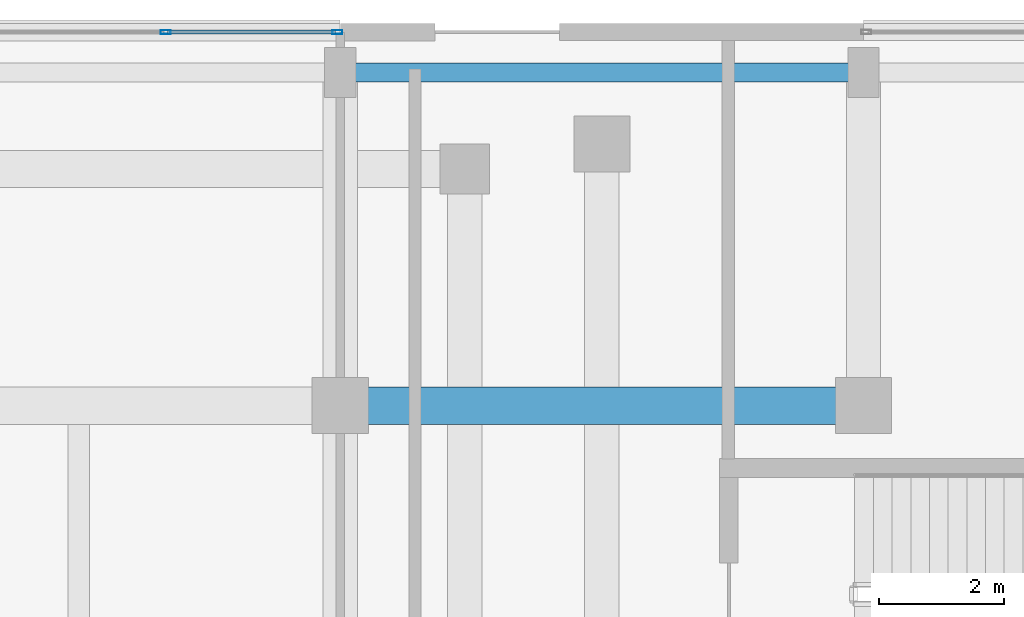
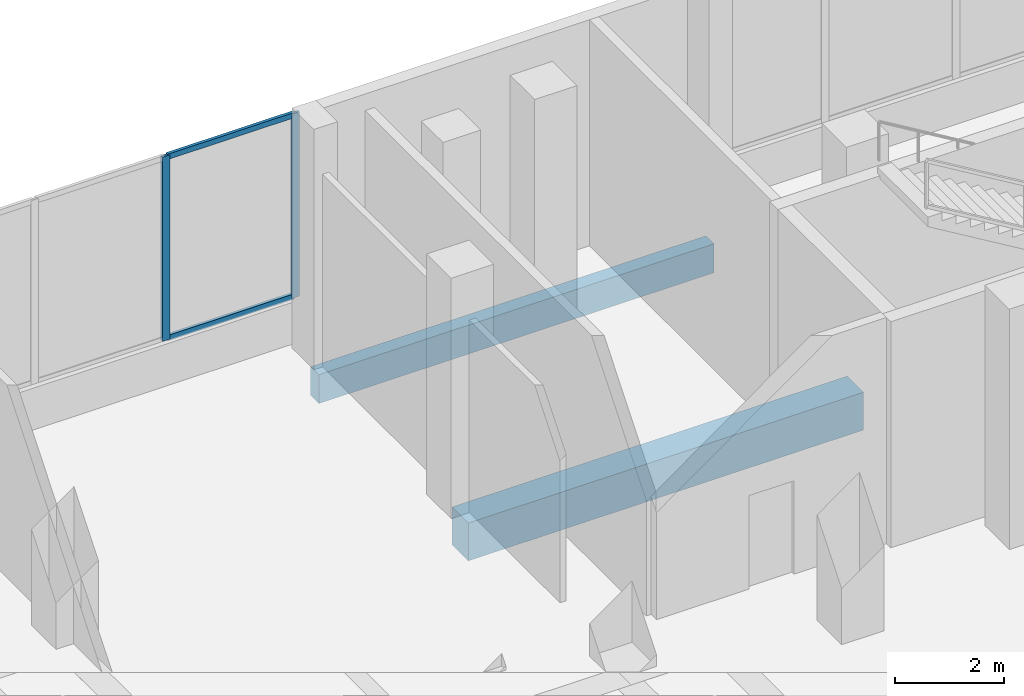
# One storey, part 88 of 158: 4 members, 2 beams, 1 element without a shape of its own.
"""IFC4 building model written with IfcOpenShell, lengths in metres."""

from ifc_helpers import new_model, si_unit, direction, frame, origin, origin_2d, place, context, subcontext, project, spatial, rectangle, hollow_rectangle, extrude, material, material_profile, profile_set, type_object, element, aggregate, save


model = new_model("IFC4")

# Units and contexts
model_context = context("Model", 3, precision=1e-05, world=origin(), true_north=direction((0.0, 1.0)))
body_context = subcontext(model_context, "Body", "Model", "MODEL_VIEW")
ifc_project = project(units=[si_unit("LENGTHUNIT", "METRE"), si_unit("AREAUNIT", "SQUARE_METRE"), si_unit("VOLUMEUNIT", "CUBIC_METRE"), si_unit("PLANEANGLEUNIT", "RADIAN"), si_unit("MASSUNIT", "GRAM", prefix="KILO")], contexts=[model_context])

# Site, building, storey
site_placement = place(None, origin())
site = spatial("IfcSite", under=ifc_project, at=site_placement, CompositionType="ELEMENT")
building_placement = place(site_placement, origin())
building = spatial("IfcBuilding", under=site, at=building_placement, Name="Selatvlak General Hospital", CompositionType="ELEMENT")
storey_placement = place(building_placement, origin())
storey = spatial("IfcBuildingStorey", under=building, at=storey_placement, Name="L00", CompositionType="ELEMENT", Elevation=0.0)

# Beams
ifc_material_1 = material(Name="Concrete C40/50", Category="concrete")
ifc_material_profile_1 = material_profile(ifc_material_1, rectangle(XDim=0.60009765625, YDim=0.85009765625, at=origin_2d()), Name="RC-BM 600x850")
ifc_profile_set_1 = profile_set([ifc_material_profile_1], Name="Concrete C40/50")
beam_type_1 = type_object("IfcBeamType", Name="BM-G01", PredefinedType="BEAM", material=ifc_profile_set_1)
beam_1_placement = place(storey_placement, frame((81.60009765625, 114.0, -0.77490234375), z_axis=(1.0, 0.0, 0.0), x_axis=(0.0, 1.0, 0.0)))
element("IfcBeam", 1, at=beam_1_placement, inside=storey, type_object=beam_type_1, Name="Beam BMR-L00-0139", PredefinedType="BEAM", context=body_context, shape_type="SweptSolid", body=[
    extrude(rectangle(XDim=0.60009765625, YDim=0.85009765625, at=origin_2d()), origin(), (0.0, 0.0, 1.0), 8.39990234375),
])
ifc_material_profile_2 = material_profile(ifc_material_1, rectangle(XDim=0.300048828125, YDim=0.64990234375, at=origin_2d()), Name="RC-SP 300x650")
ifc_profile_set_2 = profile_set([ifc_material_profile_2], Name="Concrete C40/50")
beam_type_2 = type_object("IfcBeamType", Name="BM-SP1", PredefinedType="SPANDREL", material=ifc_profile_set_2)
beam_2_placement = place(storey_placement, frame((81.60009765625, 119.35009765625, -0.675048828125), z_axis=(1.0, 0.0, 0.0), x_axis=(0.0, 1.0, 0.0)))
element("IfcBeam", 2, at=beam_2_placement, inside=storey, type_object=beam_type_2, Name="Beam BMR-L00-0152", PredefinedType="SPANDREL", context=body_context, shape_type="SweptSolid", body=[
    extrude(rectangle(XDim=0.300048828125, YDim=0.64990234375, at=origin_2d()), origin(), (0.0, 0.0, 1.0), 8.39990234375),
])

# Curtain wall, members
ifc_material_2 = material(Name="Solar-control Low-E double glazing", Category="glass")
curtain_wall_type = type_object("IfcCurtainWallType", Name="CW-CW-01", PredefinedType="USERDEFINED", material=ifc_material_2)
curtain_wall_placement = place(storey_placement, origin())
curtain_wall = element("IfcCurtainWall", 3, at=curtain_wall_placement, inside=storey, type_object=curtain_wall_type, Name="Glazed facade curtain wall CW-L00-0006", ObjectType="UNITISED CURTAIN WALL", PredefinedType="USERDEFINED")
ifc_material_3 = material(Name="Dark anodised aluminium mullion", Category="aluminium")
ifc_material_profile_3 = material_profile(ifc_material_3, hollow_rectangle(XDim=0.06494140625, YDim=0.159912109375, WallThickness=0.00390625, at=origin_2d()), Name="AL-MUL 65x160x4")
ifc_profile_set_3 = profile_set([ifc_material_profile_3], Name="Dark anodised aluminium mullion")
member_type_1 = type_object("IfcMemberType", Name="CWM-01", PredefinedType="MULLION", material=ifc_profile_set_3)
member_1_placement = place(storey_placement, frame((78.794921875, 119.9990234375, 0.93994140625), z_axis=(0.0, 0.0, 1.0), x_axis=(0.0, 1.0, 0.0)))
member_1 = element("IfcMember", 4, at=member_1_placement, type_object=member_type_1, Name="CW-01 mullion 3", PredefinedType="MULLION", context=body_context, shape_type="SweptSolid", body=[
    extrude(hollow_rectangle(XDim=0.06494140625, YDim=0.159912109375, WallThickness=0.00390625, at=origin_2d()), origin(), (0.0, 0.0, 1.0), 4.14013671875),
])
member_2_placement = place(storey_placement, frame((81.552490234375, 119.9990234375, 0.93994140625), z_axis=(0.0, 0.0, 1.0), x_axis=(0.0, 1.0, 0.0)))
member_2 = element("IfcMember", 5, at=member_2_placement, type_object=member_type_1, Name="CW-01 mullion 4", PredefinedType="MULLION", context=body_context, shape_type="SweptSolid", body=[
    extrude(hollow_rectangle(XDim=0.06494140625, YDim=0.159912109375, WallThickness=0.00390625, at=origin_2d()), origin(), (0.0, 0.0, 1.0), 4.14013671875),
])
ifc_material_profile_4 = material_profile(ifc_material_3, hollow_rectangle(XDim=0.06494140625, YDim=0.1201171875, WallThickness=0.00390625, at=origin_2d()), Name="AL-TRN 65x120x4")
ifc_profile_set_4 = profile_set([ifc_material_profile_4], Name="Dark anodised aluminium mullion")
member_type_2 = type_object("IfcMemberType", Name="CWT-01", PredefinedType="USERDEFINED", material=ifc_profile_set_4)
member_3_placement = place(storey_placement, frame((78.827392578125, 119.9990234375, 0.972412109375), z_axis=(1.0, 0.0, 0.0), x_axis=(0.0, 1.0, 0.0)))
member_3 = element("IfcMember", 6, at=member_3_placement, type_object=member_type_2, Name="CW-01 transom 3.1", ObjectType="TRANSOM", PredefinedType="USERDEFINED", context=body_context, shape_type="SweptSolid", body=[
    extrude(hollow_rectangle(XDim=0.06494140625, YDim=0.1201171875, WallThickness=0.00390625, at=origin_2d()), origin(), (0.0, 0.0, 1.0), 2.692626953125),
])
member_4_placement = place(storey_placement, frame((78.827392578125, 119.9990234375, 5.047607421875), z_axis=(1.0, 0.0, 0.0), x_axis=(0.0, 1.0, 0.0)))
member_4 = element("IfcMember", 7, at=member_4_placement, type_object=member_type_2, Name="CW-01 transom 3.2", ObjectType="TRANSOM", PredefinedType="USERDEFINED", context=body_context, shape_type="SweptSolid", body=[
    extrude(hollow_rectangle(XDim=0.06494140625, YDim=0.1201171875, WallThickness=0.00390625, at=origin_2d()), origin(), (0.0, 0.0, 1.0), 2.692626953125),
])
aggregate(curtain_wall, [member_1, member_2, member_3, member_4])

save(model, "model.ifc")
